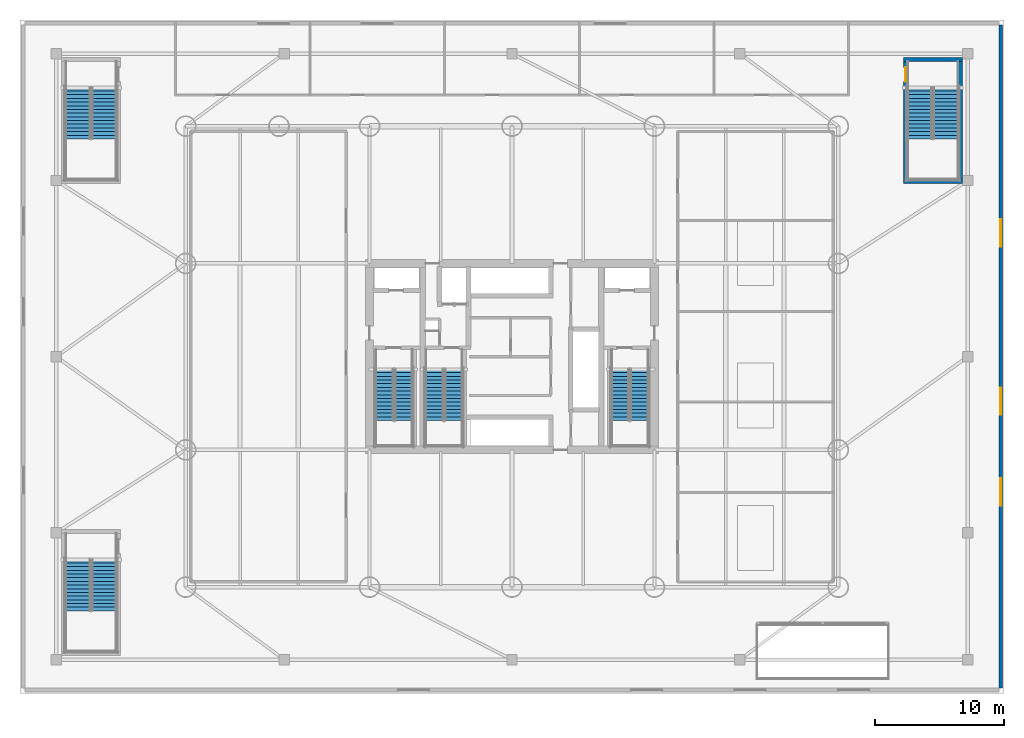
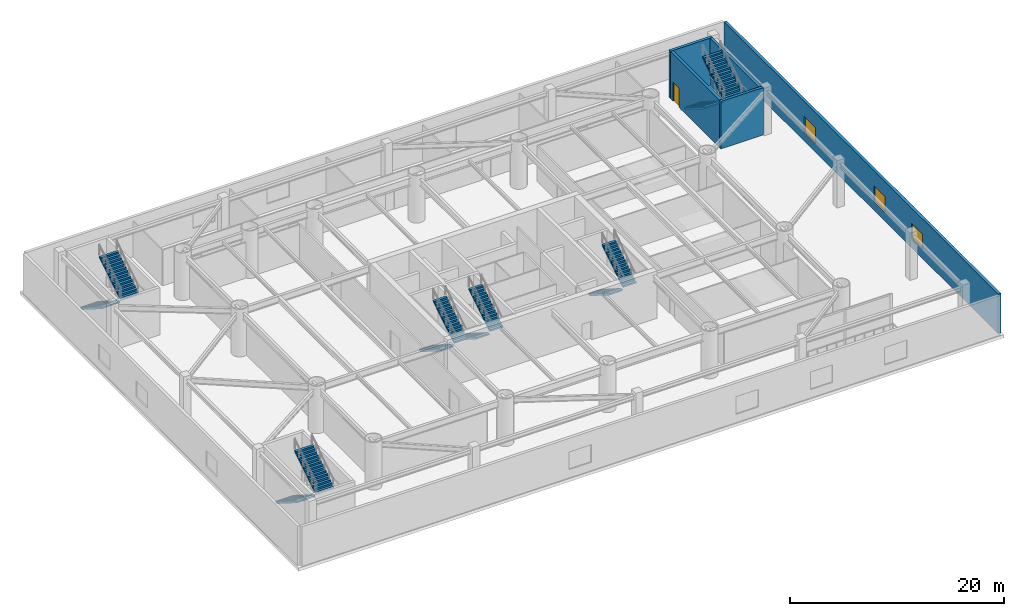
# One storey, part 9 of 16: 12 stair flights, 5 walls, 3 windows, 1 door, 4 openings, 6 elements without a shape of their own.
"""IFC4 building model written with IfcOpenShell, lengths in metres."""

import ifcopenshell
import ifcopenshell.guid

model = None  # the IFC model being written
_history = None  # IfcOwnerHistory: only IFC2X3 demands one
_inside = {}  # id of a spatial element -> (the spatial element, [elements in it])
_under = {}  # id of a project, library or spatial element -> (it, [spatial elements below it])
_declared = {}  # id of a project -> (the project, [libraries it declares])
_typed = {}  # id of a type object -> (the type object, [elements of that type])
_made_of = {}  # id of a material, layer set ... -> (it, [elements and type objects made of it])


def new_model(schema):
    """Start an empty IFC model of exactly this schema.

    Asked for "IFC4X3", IfcOpenShell would pick the latest addendum, in which some entities
    have other attributes; the version numbers below select the first issue.
    IFC2X3 requires an IfcOwnerHistory on every rooted entity: one is made here for all.
    """
    global model, _history
    if schema == "IFC4X3":
        model = ifcopenshell.file(schema_version=(4, 3, 0, 0))
    else:
        model = ifcopenshell.file(schema=schema)
    _inside.clear()
    _under.clear()
    _declared.clear()
    _typed.clear()
    _made_of.clear()
    _history = None
    if model.schema == "IFC2X3":
        org = make("IfcOrganization", Name="unknown")
        user = make(
            "IfcPersonAndOrganization",
            ThePerson=make("IfcPerson", FamilyName="unknown"),
            TheOrganization=org,
        )
        app = make(
            "IfcApplication",
            ApplicationDeveloper=org,
            Version="unknown",
            ApplicationFullName="unknown",
            ApplicationIdentifier="unknown",
        )
        _history = make(
            "IfcOwnerHistory",
            OwningUser=user,
            OwningApplication=app,
            ChangeAction="ADDED",
            CreationDate=0,
        )
    return model


def make(cls, **values):
    """One entity of the class cls with the attributes given. An attribute that is None is left unset."""
    return model.create_entity(
        cls, **{name: value for name, value in values.items() if value is not None}
    )


def rooted(cls, **values):
    """An entity with a GlobalId (a new one), such as an element, a storey or a relation."""
    return make(cls, GlobalId=ifcopenshell.guid.new(), OwnerHistory=_history, **values)


def si_unit(unit_type, name, prefix=None):
    """IfcSIUnit, for example si_unit("LENGTHUNIT", "METRE", prefix="MILLI")."""
    return make("IfcSIUnit", UnitType=unit_type, Prefix=prefix, Name=name)


def assignment(units):
    """IfcUnitAssignment: the units of a project."""
    return None if units is None else make("IfcUnitAssignment", Units=units)


def point(xyz):
    """IfcCartesianPoint."""
    return None if xyz is None else make("IfcCartesianPoint", Coordinates=xyz)


def direction(xyz):
    """IfcDirection."""
    return None if xyz is None else make("IfcDirection", DirectionRatios=xyz)


def frame(location, z_axis=None, x_axis=None):
    """IfcAxis2Placement3D, a coordinate frame: its origin and axes. An axis left out is left unset."""
    return make(
        "IfcAxis2Placement3D",
        Location=point(location),
        Axis=direction(z_axis),
        RefDirection=direction(x_axis),
    )


def frame_2d(location, x_axis=None):
    """IfcAxis2Placement2D, a coordinate frame in the plane: its origin and x axis."""
    return make(
        "IfcAxis2Placement2D", Location=point(location), RefDirection=direction(x_axis)
    )


def origin():
    """The frame at (0, 0, 0) with its axes left unset."""
    return frame((0.0, 0.0, 0.0))


def place(relative_to, where):
    """IfcLocalPlacement: puts the frame where relative to a parent placement (None: the world)."""
    return make(
        "IfcLocalPlacement", PlacementRelTo=relative_to, RelativePlacement=where
    )


def context(
    kind, dimensions, precision=None, world=None, true_north=None, identifier=None
):
    """IfcGeometricRepresentationContext, for example the 3D "Model" context."""
    return make(
        "IfcGeometricRepresentationContext",
        ContextIdentifier=identifier,
        ContextType=kind,
        CoordinateSpaceDimension=dimensions,
        Precision=precision,
        WorldCoordinateSystem=world,
        TrueNorth=true_north,
    )


def subcontext(parent, identifier, kind, view, scale=None):
    """IfcGeometricRepresentationSubContext, for example "Body" below "Model"."""
    return make(
        "IfcGeometricRepresentationSubContext",
        ContextIdentifier=identifier,
        ContextType=kind,
        ParentContext=parent,
        TargetScale=scale,
        TargetView=view,
    )


def project(units=None, contexts=None):
    """IfcProject with its units and contexts."""
    return rooted(
        "IfcProject",
        Name="project",
        RepresentationContexts=contexts,
        UnitsInContext=assignment(units),
    )


def spatial(cls, under=None, at=None, **own):
    """A site, building, storey or space (cls), placed at a placement, below another one or the project."""
    s = rooted(cls, ObjectPlacement=at, **own)
    if under is not None:
        _under.setdefault(under.id(), (under, []))[1].append(s)
    return s


def polyline(points):
    """IfcPolyline through the points."""
    return make("IfcPolyline", Points=[point(p) for p in points])


def profile(cls, at=None, kind="AREA", **sizes):
    """A parametric profile (cls). Its sizes go by their IFC names, for example OverallWidth=200.0."""
    return make(cls, ProfileType=kind, Position=at, **sizes)


def rectangle(**sizes):
    """IfcRectangleProfileDef."""
    return profile("IfcRectangleProfileDef", **sizes)


def outline(outer, holes=None, kind="AREA"):
    """IfcArbitraryClosedProfileDef: a profile drawn as a closed curve; with holes, ...WithVoids."""
    if holes is None:
        return make("IfcArbitraryClosedProfileDef", ProfileType=kind, OuterCurve=outer)
    return make(
        "IfcArbitraryProfileDefWithVoids",
        ProfileType=kind,
        OuterCurve=outer,
        InnerCurves=holes,
    )


def extrude(swept, where, along, depth):
    """IfcExtrudedAreaSolid: the profile swept, set in the frame where, extruded along a direction by depth."""
    return make(
        "IfcExtrudedAreaSolid",
        SweptArea=swept,
        Position=where,
        ExtrudedDirection=direction(along),
        Depth=depth,
    )


def shape(context_of_items, identifier, shape_type, items):
    """IfcShapeRepresentation: the items that make up one representation, for example the "Body"."""
    return make(
        "IfcShapeRepresentation",
        ContextOfItems=context_of_items,
        RepresentationIdentifier=identifier,
        RepresentationType=shape_type,
        Items=items,
    )


def material(Name=None, Category=None):
    """IfcMaterial."""
    return make("IfcMaterial", Name=Name, Category=Category)


def layer(
    of_material, thickness, ventilated=None, Name=None, Category=None, Priority=None
):
    """IfcMaterialLayer: one layer of a wall or slab, of a material (None: an air gap)."""
    return make(
        "IfcMaterialLayer",
        Material=of_material,
        LayerThickness=thickness,
        IsVentilated=ventilated,
        Name=Name,
        Category=Category,
        Priority=Priority,
    )


def layer_set(layers, Name=None):
    """IfcMaterialLayerSet."""
    return make("IfcMaterialLayerSet", MaterialLayers=layers, LayerSetName=Name)


def made_of(thing, what):
    """Note that an element or type object is made of a material, layer set ...; save() writes the relation."""
    if what is not None:
        _made_of.setdefault(what.id(), (what, []))[1].append(thing)
    return thing


def type_object(cls, material=None, **own):
    """A type object (cls), such as IfcWallType, which elements share."""
    return made_of(rooted(cls, **own), material)


def element(
    cls,
    number,
    at=None,
    inside=None,
    cuts=None,
    type_object=None,
    material=None,
    context=None,
    identifier="Body",
    shape_type=None,
    held_by="IfcProductDefinitionShape",
    body=None,
    shapes=None,
    **own,
):
    """One element of the class cls, such as IfcWall. Its Tag is "e" and its number.

    at: its placement. inside: the storey or other place that contains it. cuts: it is an
    opening in that element (IfcRelVoidsElement). A single representation is given by context,
    identifier, shape_type and body (its items); several are given by shapes. held_by: the class
    of the entity that holds the representations. save() writes the other relations.
    """
    e = rooted(cls, Tag="e%d" % number, ObjectPlacement=at, **own)
    if body is not None:
        shapes = [shape(context, identifier, shape_type, body)]
    if shapes is not None:
        e.Representation = make(held_by, Representations=shapes)
    if inside is not None:
        _inside.setdefault(inside.id(), (inside, []))[1].append(e)
    if cuts is not None:
        rooted(
            "IfcRelVoidsElement", RelatingBuildingElement=cuts, RelatedOpeningElement=e
        )
    if type_object is not None:
        _typed.setdefault(type_object.id(), (type_object, []))[1].append(e)
    return made_of(e, material)


def fill(opening, filler):
    """IfcRelFillsElement: the door or window that sits in an opening."""
    return rooted(
        "IfcRelFillsElement",
        RelatingOpeningElement=opening,
        RelatedBuildingElement=filler,
    )


def aggregate(whole, parts):
    """IfcRelAggregates: a whole, such as a stair, and the parts it consists of."""
    return rooted("IfcRelAggregates", RelatingObject=whole, RelatedObjects=parts)


def save(model, path):
    """Write the relations noted so far, then the file.

    IfcRelAggregates (storeys below a building ...), IfcRelContainedInSpatialStructure (elements
    in a storey), IfcRelDefinesByType, IfcRelAssociatesMaterial and IfcRelDeclares: one each for
    every whole, place, type object, material and project.
    """
    for whole, parts in _under.values():
        aggregate(whole, parts)
    for where, things in _inside.values():
        rooted(
            "IfcRelContainedInSpatialStructure",
            RelatedElements=things,
            RelatingStructure=where,
        )
    for kind, things in _typed.values():
        rooted("IfcRelDefinesByType", RelatedObjects=things, RelatingType=kind)
    for what, things in _made_of.values():
        rooted("IfcRelAssociatesMaterial", RelatedObjects=things, RelatingMaterial=what)
    for by, libraries in _declared.values():
        rooted("IfcRelDeclares", RelatingContext=by, RelatedDefinitions=libraries)
    model.write(path)


model = new_model("IFC4")

# Units and contexts
model_context = context("Model", 3, precision=1e-05, world=origin(), true_north=direction((0.0, 1.0)))
body_context = subcontext(model_context, "Body", "Model", "MODEL_VIEW")
ifc_project = project(units=[si_unit("LENGTHUNIT", "METRE"), si_unit("AREAUNIT", "SQUARE_METRE"), si_unit("VOLUMEUNIT", "CUBIC_METRE"), si_unit("PLANEANGLEUNIT", "RADIAN"), si_unit("MASSUNIT", "GRAM", prefix="KILO")], contexts=[model_context])

# Site, building, storey
site_placement = place(None, origin())
site = spatial("IfcSite", under=ifc_project, at=site_placement, CompositionType="ELEMENT")
building_placement = place(site_placement, origin())
building = spatial("IfcBuilding", under=site, at=building_placement, Name="Bramvorn Convention Spire", CompositionType="ELEMENT")
storey_placement = place(building_placement, frame((0.0, 0.0, 30.0)))
storey = spatial("IfcBuildingStorey", under=building, at=storey_placement, Name="L05", CompositionType="ELEMENT", Elevation=30.0)

# Wall, openings, windows
ifc_material_1 = material(Name="Precast Concrete C40/50 with Bronze Terracotta Rainscreen", Category="masonry")
ifc_layer_1 = layer(ifc_material_1, 0.300048828125)
ifc_layer_set_1 = layer_set([ifc_layer_1], Name="Precast Concrete C40/50 with Bronze Terracotta Rainscreen - WL-EXT-BRONZE-300")
wall_type_1 = type_object("IfcWallType", Name="WL-EXT-BRONZE-300", PredefinedType="SOLIDWALL", material=ifc_layer_set_1)
wall_1_placement = place(storey_placement, frame((75.75, 51.60009765625, 0.0), z_axis=(0.0, 0.0, 1.0), x_axis=(0.0, -1.0, 0.0)))
wall_1 = element("IfcWall", 1, at=wall_1_placement, inside=storey, type_object=wall_type_1, Name="L05 East podium bronze facade wall", PredefinedType="SOLIDWALL", context=body_context, shape_type="SweptSolid", body=[
    extrude(rectangle(XDim=51.2001953125, YDim=0.300048828125, at=frame_2d((25.60009765625, 0.0))), origin(), (0.0, 0.0, 1.0), 4.510009765625),
])
opening_1_placement = place(wall_1_placement, frame((15.0, 0.0, 1.0)))
opening_1 = element("IfcOpeningElement", 2, at=opening_1_placement, cuts=wall_1, Name="Opening WN04", PredefinedType="OPENING", context=body_context, shape_type="SweptSolid", body=[
    extrude(rectangle(XDim=2.10009765625, YDim=1.800048828125, at=frame_2d((1.050048828125, 0.89990234375))), frame((0.0, 0.159912109375, 0.0), z_axis=(0.0, -1.0, 0.0), x_axis=(1.0, 0.0, 0.0)), (0.0, 0.0, 1.0), 0.320068359375),
])
opening_2_placement = place(wall_1_placement, frame((28.0, 0.0, 1.0)))
opening_2 = element("IfcOpeningElement", 3, at=opening_2_placement, cuts=wall_1, Name="Opening WN04", PredefinedType="OPENING", context=body_context, shape_type="SweptSolid", body=[
    extrude(rectangle(XDim=2.10009765625, YDim=1.800048828125, at=frame_2d((1.050048828125, 0.89990234375))), frame((0.0, 0.159912109375, 0.0), z_axis=(0.0, -1.0, 0.0), x_axis=(1.0, 0.0, 0.0)), (0.0, 0.0, 1.0), 0.320068359375),
])
opening_3_placement = place(wall_1_placement, frame((35.0, 0.0, 1.0)))
opening_3 = element("IfcOpeningElement", 4, at=opening_3_placement, cuts=wall_1, Name="Opening WN04", PredefinedType="OPENING", context=body_context, shape_type="SweptSolid", body=[
    extrude(rectangle(XDim=2.10009765625, YDim=1.800048828125, at=frame_2d((1.050048828125, 0.89990234375))), frame((0.0, 0.159912109375, 0.0), z_axis=(0.0, -1.0, 0.0), x_axis=(1.0, 0.0, 0.0)), (0.0, 0.0, 1.0), 0.320068359375),
])
ifc_material_2 = material(Name="Thermally Broken Bronze Aluminium & Triple Low-E Glass", Category="aluminium")
window_type = type_object("IfcWindowType", Name="WN-OP-2100X1800", PartitioningType="SINGLE_PANEL", PredefinedType="WINDOW", material=ifc_material_2)
window_1_placement = place(opening_1_placement, origin())
window_1 = element("IfcWindow", 5, at=window_1_placement, inside=storey, type_object=window_type, Name="L05 East operable window 1", OverallHeight=1.800048828125, OverallWidth=2.10009765625, PartitioningType="SINGLE_PANEL", PredefinedType="WINDOW", context=body_context, shape_type="SweptSolid", body=[
    extrude(rectangle(XDim=2.10009765625, YDim=1.800048828125, at=frame_2d((1.050048828125, 0.89990234375))), frame((0.0, 0.030029296875, 0.0), z_axis=(0.0, -1.0, 0.0), x_axis=(1.0, 0.0, 0.0)), (0.0, 0.0, 1.0), 0.06005859375),
])
fill(opening_1, window_1)
window_2_placement = place(opening_2_placement, origin())
window_2 = element("IfcWindow", 6, at=window_2_placement, inside=storey, type_object=window_type, Name="L05 East operable window 2", OverallHeight=1.800048828125, OverallWidth=2.10009765625, PartitioningType="SINGLE_PANEL", PredefinedType="WINDOW", context=body_context, shape_type="SweptSolid", body=[
    extrude(rectangle(XDim=2.10009765625, YDim=1.800048828125, at=frame_2d((1.050048828125, 0.89990234375))), frame((0.0, 0.030029296875, 0.0), z_axis=(0.0, -1.0, 0.0), x_axis=(1.0, 0.0, 0.0)), (0.0, 0.0, 1.0), 0.06005859375),
])
fill(opening_2, window_2)
window_3_placement = place(opening_3_placement, origin())
window_3 = element("IfcWindow", 7, at=window_3_placement, inside=storey, type_object=window_type, Name="L05 East operable window 3", OverallHeight=1.800048828125, OverallWidth=2.10009765625, PartitioningType="SINGLE_PANEL", PredefinedType="WINDOW", context=body_context, shape_type="SweptSolid", body=[
    extrude(rectangle(XDim=2.10009765625, YDim=1.800048828125, at=frame_2d((1.050048828125, 0.89990234375))), frame((0.0, 0.030029296875, 0.0), z_axis=(0.0, -1.0, 0.0), x_axis=(1.0, 0.0, 0.0)), (0.0, 0.0, 1.0), 0.06005859375),
])
fill(opening_3, window_3)

# Walls
ifc_material_3 = material(Name="Concrete C50/60", Category="concrete")
ifc_layer_2 = layer(ifc_material_3, 0.300048828125)
ifc_layer_set_2 = layer_set([ifc_layer_2], Name="Concrete C50/60 - WL-POD-STAIR-300")
wall_type_2 = type_object("IfcWallType", Name="WL-POD-STAIR-300", PredefinedType="SHEAR", material=ifc_layer_set_2)
for number, where, z_axis, x_axis, name in (
    (8, (68.22998046875, 39.510009765625, 0.0), (0.0, 0.0, 1.0), (1.0, 0.0, 0.0), "L05 ST5 south shaft wall"),
    (9, (68.22998046875, 48.93994140625, 0.0), (0.0, 0.0, 1.0), (1.0, 0.0, 0.0), "L05 ST5 north shaft wall"),
):
    element("IfcWall", number, at=place(storey_placement, frame(where, z_axis=z_axis, x_axis=x_axis)), inside=storey, type_object=wall_type_2, Name=name, PredefinedType="SHEAR", context=body_context, shape_type="SweptSolid", body=[
        extrude(rectangle(XDim=4.56005859375, YDim=0.300048828125, at=frame_2d((2.280029296875, 0.0))), origin(), (0.0, 0.0, 1.0), 5.39990234375),
    ])

# Wall, opening, door
wall_2_placement = place(storey_placement, frame((68.3798828125, 39.659912109375, 0.0), z_axis=(0.0, 0.0, 1.0), x_axis=(0.0, 1.0, 0.0)))
wall_2 = element("IfcWall", 10, at=wall_2_placement, inside=storey, type_object=wall_type_2, Name="L05 ST5 west shaft wall", PredefinedType="SHEAR", context=body_context, shape_type="SweptSolid", body=[
    extrude(rectangle(XDim=9.130126953125, YDim=0.300048828125, at=frame_2d((4.56494140625, 0.0))), origin(), (0.0, 0.0, 1.0), 5.39990234375),
])
opening_4_placement = place(wall_2_placement, frame((7.580078125, 0.0, 0.0)))
opening_4 = element("IfcOpeningElement", 11, at=opening_4_placement, cuts=wall_2, Name="Opening DS-110", PredefinedType="OPENING", context=body_context, shape_type="SweptSolid", body=[
    extrude(rectangle(XDim=1.10009765625, YDim=2.14990234375, at=frame_2d((0.550048828125, 1.074951171875))), frame((0.0, 0.159912109375, 0.0), z_axis=(0.0, -1.0, 0.0), x_axis=(1.0, 0.0, 0.0)), (0.0, 0.0, 1.0), 0.320068359375),
])
ifc_material_4 = material(Name="Fire-Rated Hollow Steel Stairwell Door", Category="steel")
door_type = type_object("IfcDoorType", Name="DR-STAIR-1100", OperationType="NOTDEFINED", PredefinedType="DOOR", material=ifc_material_4)
door_placement = place(opening_4_placement, origin())
door = element("IfcDoor", 12, at=door_placement, inside=storey, type_object=door_type, Name="L05 ST5 exit stairwell door", OperationType="SINGLE_SWING_LEFT", OverallHeight=2.14990234375, OverallWidth=1.10009765625, PredefinedType="DOOR", context=body_context, shape_type="SweptSolid", body=[
    extrude(rectangle(XDim=1.10009765625, YDim=2.14990234375, at=frame_2d((0.550048828125, 1.074951171875))), frame((0.0, 0.02490234375, 0.0), z_axis=(0.0, -1.0, 0.0), x_axis=(1.0, 0.0, 0.0)), (0.0, 0.0, 1.0), 0.050048828125),
])
fill(opening_4, door)

# Wall
wall_3_placement = place(storey_placement, frame((72.639892578125, 48.7900390625, 0.0), z_axis=(0.0, 0.0, 1.0), x_axis=(0.0, -1.0, 0.0)))
element("IfcWall", 13, at=wall_3_placement, inside=storey, type_object=wall_type_2, Name="L05 ST5 east shaft wall", PredefinedType="SHEAR", context=body_context, shape_type="SweptSolid", body=[
    extrude(rectangle(XDim=9.130126953125, YDim=0.300048828125, at=frame_2d((4.56494140625, 0.0))), origin(), (0.0, 0.0, 1.0), 5.39990234375),
])

# Stair, stair flights
ifc_material_5 = material(Name="Concrete C40/50 Grand Exit Stair", Category="concrete")
stair_type_1 = type_object("IfcStairType", Name="ST-PODIUM-1950", PredefinedType="HALF_TURN_STAIR", material=ifc_material_5)
stair_1_placement = place(storey_placement, origin())
stair_1 = element("IfcStair", 14, at=stair_1_placement, inside=storey, type_object=stair_type_1, Name="L05 Protected Exit Stair ST4", PredefinedType="HALF_TURN_STAIR")
ifc_material_6 = material(Name="Concrete C40/50 Precast Stair Flight", Category="concrete")
stair_flight_type_1 = type_object("IfcStairFlightType", Name="STF-PODIUM-1950", PredefinedType="STRAIGHT", material=ifc_material_6)
stair_flight_1_placement = place(storey_placement, frame((4.47509765625, 10.35009765625, 0.0), z_axis=(0.0, 0.0, 1.0), x_axis=(0.0, -1.0, 0.0)))
stair_flight_1 = element("IfcStairFlight", 15, at=stair_flight_1_placement, type_object=stair_flight_type_1, Name="ST4 flight 1", NumberOfRisers=15, NumberOfTreads=14, PredefinedType="STRAIGHT", RiserHeight=0.18, TreadLength=0.285, context=body_context, shape_type="SweptSolid", body=[
    extrude(outline(polyline([(0.0, 0.0), (0.0, 0.179931640625), (0.284912109375, 0.179931640625), (0.284912109375, 0.360107421875), (0.570068359375, 0.360107421875), (0.570068359375, 0.5400390625), (0.85498046875, 0.5400390625), (0.85498046875, 0.719970703125), (1.139892578125, 0.719970703125), (1.139892578125, 0.89990234375), (1.425048828125, 0.89990234375), (1.425048828125, 1.080078125), (1.7099609375, 1.080078125), (1.7099609375, 1.260009765625), (1.9951171875, 1.260009765625), (1.9951171875, 1.43994140625), (2.280029296875, 1.43994140625), (2.280029296875, 1.6201171875), (2.56494140625, 1.6201171875), (2.56494140625, 1.800048828125), (2.85009765625, 1.800048828125), (2.85009765625, 1.97998046875), (3.135009765625, 1.97998046875), (3.135009765625, 2.159912109375), (3.419921875, 2.159912109375), (3.419921875, 2.340087890625), (3.705078125, 2.340087890625), (3.705078125, 2.52001953125), (3.989990234375, 2.52001953125), (3.989990234375, 2.699951171875), (3.989990234375, 2.3427734375), (0.28076171875, 0.0), (0.0, 0.0)])), frame((0.0, 0.97509765625, 0.0), z_axis=(0.0, -1.0, 0.0), x_axis=(1.0, 0.0, 0.0)), (0.0, 0.0, 1.0), 1.949951171875),
])
stair_flight_2_placement = place(storey_placement, frame((6.5048828125, 6.360107421875, 2.699951171875), z_axis=(0.0, 0.0, 1.0), x_axis=(0.0, 1.0, 0.0)))
stair_flight_2 = element("IfcStairFlight", 16, at=stair_flight_2_placement, type_object=stair_flight_type_1, Name="ST4 flight 2", NumberOfRisers=15, NumberOfTreads=14, PredefinedType="STRAIGHT", RiserHeight=0.18, TreadLength=0.285, context=body_context, shape_type="SweptSolid", body=[
    extrude(outline(polyline([(0.0, 0.0), (0.0, 0.179931640625), (0.284912109375, 0.179931640625), (0.284912109375, 0.360107421875), (0.570068359375, 0.360107421875), (0.570068359375, 0.5400390625), (0.85498046875, 0.5400390625), (0.85498046875, 0.719970703125), (1.139892578125, 0.719970703125), (1.139892578125, 0.89990234375), (1.425048828125, 0.89990234375), (1.425048828125, 1.080078125), (1.7099609375, 1.080078125), (1.7099609375, 1.260009765625), (1.9951171875, 1.260009765625), (1.9951171875, 1.43994140625), (2.280029296875, 1.43994140625), (2.280029296875, 1.6201171875), (2.56494140625, 1.6201171875), (2.56494140625, 1.800048828125), (2.85009765625, 1.800048828125), (2.85009765625, 1.97998046875), (3.135009765625, 1.97998046875), (3.135009765625, 2.159912109375), (3.419921875, 2.159912109375), (3.419921875, 2.340087890625), (3.705078125, 2.340087890625), (3.705078125, 2.52001953125), (3.989990234375, 2.52001953125), (3.989990234375, 2.699951171875), (3.989990234375, 2.3427734375), (0.28076171875, 0.0), (0.0, 0.0)])), frame((0.0, 0.97509765625, 0.0), z_axis=(0.0, -1.0, 0.0), x_axis=(1.0, 0.0, 0.0)), (0.0, 0.0, 1.0), 1.949951171875),
])
aggregate(stair_1, [stair_flight_1, stair_flight_2])

stair_2_placement = place(storey_placement, origin())
stair_2 = element("IfcStair", 17, at=stair_2_placement, inside=storey, type_object=stair_type_1, Name="L05 Protected Exit Stair ST5", PredefinedType="HALF_TURN_STAIR")
stair_flight_3_placement = place(storey_placement, frame((69.4951171875, 46.800048828125, 0.0), z_axis=(0.0, 0.0, 1.0), x_axis=(0.0, -1.0, 0.0)))
stair_flight_3 = element("IfcStairFlight", 18, at=stair_flight_3_placement, type_object=stair_flight_type_1, Name="ST5 flight 1", NumberOfRisers=15, NumberOfTreads=14, PredefinedType="STRAIGHT", RiserHeight=0.18, TreadLength=0.285, context=body_context, shape_type="SweptSolid", body=[
    extrude(outline(polyline([(0.0, 0.0), (0.0, 0.179931640625), (0.284912109375, 0.179931640625), (0.284912109375, 0.360107421875), (0.570068359375, 0.360107421875), (0.570068359375, 0.5400390625), (0.85498046875, 0.5400390625), (0.85498046875, 0.719970703125), (1.139892578125, 0.719970703125), (1.139892578125, 0.89990234375), (1.425048828125, 0.89990234375), (1.425048828125, 1.080078125), (1.7099609375, 1.080078125), (1.7099609375, 1.260009765625), (1.9951171875, 1.260009765625), (1.9951171875, 1.43994140625), (2.280029296875, 1.43994140625), (2.280029296875, 1.6201171875), (2.56494140625, 1.6201171875), (2.56494140625, 1.800048828125), (2.85009765625, 1.800048828125), (2.85009765625, 1.97998046875), (3.135009765625, 1.97998046875), (3.135009765625, 2.159912109375), (3.419921875, 2.159912109375), (3.419921875, 2.340087890625), (3.705078125, 2.340087890625), (3.705078125, 2.52001953125), (3.989990234375, 2.52001953125), (3.989990234375, 2.699951171875), (3.989990234375, 2.3427734375), (0.28076171875, 0.0), (0.0, 0.0)])), frame((0.0, 0.97509765625, 0.0), z_axis=(0.0, -1.0, 0.0), x_axis=(1.0, 0.0, 0.0)), (0.0, 0.0, 1.0), 1.949951171875),
])
stair_flight_4_placement = place(storey_placement, frame((71.52490234375, 42.81005859375, 2.699951171875), z_axis=(0.0, 0.0, 1.0), x_axis=(0.0, 1.0, 0.0)))
stair_flight_4 = element("IfcStairFlight", 19, at=stair_flight_4_placement, type_object=stair_flight_type_1, Name="ST5 flight 2", NumberOfRisers=15, NumberOfTreads=14, PredefinedType="STRAIGHT", RiserHeight=0.18, TreadLength=0.285, context=body_context, shape_type="SweptSolid", body=[
    extrude(outline(polyline([(0.0, 0.0), (0.0, 0.179931640625), (0.284912109375, 0.179931640625), (0.284912109375, 0.360107421875), (0.570068359375, 0.360107421875), (0.570068359375, 0.5400390625), (0.85498046875, 0.5400390625), (0.85498046875, 0.719970703125), (1.139892578125, 0.719970703125), (1.139892578125, 0.89990234375), (1.425048828125, 0.89990234375), (1.425048828125, 1.080078125), (1.7099609375, 1.080078125), (1.7099609375, 1.260009765625), (1.9951171875, 1.260009765625), (1.9951171875, 1.43994140625), (2.280029296875, 1.43994140625), (2.280029296875, 1.6201171875), (2.56494140625, 1.6201171875), (2.56494140625, 1.800048828125), (2.85009765625, 1.800048828125), (2.85009765625, 1.97998046875), (3.135009765625, 1.97998046875), (3.135009765625, 2.159912109375), (3.419921875, 2.159912109375), (3.419921875, 2.340087890625), (3.705078125, 2.340087890625), (3.705078125, 2.52001953125), (3.989990234375, 2.52001953125), (3.989990234375, 2.699951171875), (3.989990234375, 2.3427734375), (0.28076171875, 0.0), (0.0, 0.0)])), frame((0.0, 0.97509765625, 0.0), z_axis=(0.0, -1.0, 0.0), x_axis=(1.0, 0.0, 0.0)), (0.0, 0.0, 1.0), 1.949951171875),
])
aggregate(stair_2, [stair_flight_3, stair_flight_4])

stair_3_placement = place(storey_placement, origin())
stair_3 = element("IfcStair", 20, at=stair_3_placement, inside=storey, type_object=stair_type_1, Name="L05 Protected Exit Stair ST6", PredefinedType="HALF_TURN_STAIR")
stair_flight_5_placement = place(storey_placement, frame((4.47509765625, 46.800048828125, 0.0), z_axis=(0.0, 0.0, 1.0), x_axis=(0.0, -1.0, 0.0)))
stair_flight_5 = element("IfcStairFlight", 21, at=stair_flight_5_placement, type_object=stair_flight_type_1, Name="ST6 flight 1", NumberOfRisers=15, NumberOfTreads=14, PredefinedType="STRAIGHT", RiserHeight=0.18, TreadLength=0.285, context=body_context, shape_type="SweptSolid", body=[
    extrude(outline(polyline([(0.0, 0.0), (0.0, 0.179931640625), (0.284912109375, 0.179931640625), (0.284912109375, 0.360107421875), (0.570068359375, 0.360107421875), (0.570068359375, 0.5400390625), (0.85498046875, 0.5400390625), (0.85498046875, 0.719970703125), (1.139892578125, 0.719970703125), (1.139892578125, 0.89990234375), (1.425048828125, 0.89990234375), (1.425048828125, 1.080078125), (1.7099609375, 1.080078125), (1.7099609375, 1.260009765625), (1.9951171875, 1.260009765625), (1.9951171875, 1.43994140625), (2.280029296875, 1.43994140625), (2.280029296875, 1.6201171875), (2.56494140625, 1.6201171875), (2.56494140625, 1.800048828125), (2.85009765625, 1.800048828125), (2.85009765625, 1.97998046875), (3.135009765625, 1.97998046875), (3.135009765625, 2.159912109375), (3.419921875, 2.159912109375), (3.419921875, 2.340087890625), (3.705078125, 2.340087890625), (3.705078125, 2.52001953125), (3.989990234375, 2.52001953125), (3.989990234375, 2.699951171875), (3.989990234375, 2.3427734375), (0.28076171875, 0.0), (0.0, 0.0)])), frame((0.0, 0.97509765625, 0.0), z_axis=(0.0, -1.0, 0.0), x_axis=(1.0, 0.0, 0.0)), (0.0, 0.0, 1.0), 1.949951171875),
])
stair_flight_6_placement = place(storey_placement, frame((6.5048828125, 42.81005859375, 2.699951171875), z_axis=(0.0, 0.0, 1.0), x_axis=(0.0, 1.0, 0.0)))
stair_flight_6 = element("IfcStairFlight", 22, at=stair_flight_6_placement, type_object=stair_flight_type_1, Name="ST6 flight 2", NumberOfRisers=15, NumberOfTreads=14, PredefinedType="STRAIGHT", RiserHeight=0.18, TreadLength=0.285, context=body_context, shape_type="SweptSolid", body=[
    extrude(outline(polyline([(0.0, 0.0), (0.0, 0.179931640625), (0.284912109375, 0.179931640625), (0.284912109375, 0.360107421875), (0.570068359375, 0.360107421875), (0.570068359375, 0.5400390625), (0.85498046875, 0.5400390625), (0.85498046875, 0.719970703125), (1.139892578125, 0.719970703125), (1.139892578125, 0.89990234375), (1.425048828125, 0.89990234375), (1.425048828125, 1.080078125), (1.7099609375, 1.080078125), (1.7099609375, 1.260009765625), (1.9951171875, 1.260009765625), (1.9951171875, 1.43994140625), (2.280029296875, 1.43994140625), (2.280029296875, 1.6201171875), (2.56494140625, 1.6201171875), (2.56494140625, 1.800048828125), (2.85009765625, 1.800048828125), (2.85009765625, 1.97998046875), (3.135009765625, 1.97998046875), (3.135009765625, 2.159912109375), (3.419921875, 2.159912109375), (3.419921875, 2.340087890625), (3.705078125, 2.340087890625), (3.705078125, 2.52001953125), (3.989990234375, 2.52001953125), (3.989990234375, 2.699951171875), (3.989990234375, 2.3427734375), (0.28076171875, 0.0), (0.0, 0.0)])), frame((0.0, 0.97509765625, 0.0), z_axis=(0.0, -1.0, 0.0), x_axis=(1.0, 0.0, 0.0)), (0.0, 0.0, 1.0), 1.949951171875),
])
aggregate(stair_3, [stair_flight_5, stair_flight_6])

ifc_material_7 = material(Name="Concrete C40/50 Precast Stair", Category="concrete")
stair_type_2 = type_object("IfcStairType", Name="ST-TOWER-1550", PredefinedType="HALF_TURN_STAIR", material=ifc_material_7)
stair_4_placement = place(storey_placement, origin())
stair_4 = element("IfcStair", 23, at=stair_4_placement, inside=storey, type_object=stair_type_2, Name="L05 Protected Exit Stair ST1", PredefinedType="HALF_TURN_STAIR")
stair_flight_type_2 = type_object("IfcStairFlightType", Name="STF-TOWER-1550", PredefinedType="STRAIGHT", material=ifc_material_6)
stair_flight_7_placement = place(storey_placement, frame((28.155029296875, 25.050048828125, 0.0), z_axis=(0.0, 0.0, 1.0), x_axis=(0.0, -1.0, 0.0)))
stair_flight_7 = element("IfcStairFlight", 24, at=stair_flight_7_placement, type_object=stair_flight_type_2, Name="ST1 flight 1", NumberOfRisers=15, NumberOfTreads=14, PredefinedType="STRAIGHT", RiserHeight=0.18, TreadLength=0.285, context=body_context, shape_type="SweptSolid", body=[
    extrude(outline(polyline([(0.0, 0.0), (0.0, 0.179931640625), (0.284912109375, 0.179931640625), (0.284912109375, 0.360107421875), (0.570068359375, 0.360107421875), (0.570068359375, 0.5400390625), (0.85498046875, 0.5400390625), (0.85498046875, 0.719970703125), (1.139892578125, 0.719970703125), (1.139892578125, 0.89990234375), (1.425048828125, 0.89990234375), (1.425048828125, 1.080078125), (1.7099609375, 1.080078125), (1.7099609375, 1.260009765625), (1.9951171875, 1.260009765625), (1.9951171875, 1.43994140625), (2.280029296875, 1.43994140625), (2.280029296875, 1.6201171875), (2.56494140625, 1.6201171875), (2.56494140625, 1.800048828125), (2.85009765625, 1.800048828125), (2.85009765625, 1.97998046875), (3.135009765625, 1.97998046875), (3.135009765625, 2.159912109375), (3.419921875, 2.159912109375), (3.419921875, 2.340087890625), (3.705078125, 2.340087890625), (3.705078125, 2.52001953125), (3.989990234375, 2.52001953125), (3.989990234375, 2.699951171875), (3.989990234375, 2.3427734375), (0.28076171875, 0.0), (0.0, 0.0)])), frame((0.0, 0.705078125, 0.0), z_axis=(0.0, -1.0, 0.0), x_axis=(1.0, 0.0, 0.0)), (0.0, 0.0, 1.0), 1.409912109375),
])
stair_flight_8_placement = place(storey_placement, frame((29.64501953125, 21.06005859375, 2.699951171875), z_axis=(0.0, 0.0, 1.0), x_axis=(0.0, 1.0, 0.0)))
stair_flight_8 = element("IfcStairFlight", 25, at=stair_flight_8_placement, type_object=stair_flight_type_2, Name="ST1 flight 2", NumberOfRisers=15, NumberOfTreads=14, PredefinedType="STRAIGHT", RiserHeight=0.18, TreadLength=0.285, context=body_context, shape_type="SweptSolid", body=[
    extrude(outline(polyline([(0.0, 0.0), (0.0, 0.179931640625), (0.284912109375, 0.179931640625), (0.284912109375, 0.360107421875), (0.570068359375, 0.360107421875), (0.570068359375, 0.5400390625), (0.85498046875, 0.5400390625), (0.85498046875, 0.719970703125), (1.139892578125, 0.719970703125), (1.139892578125, 0.89990234375), (1.425048828125, 0.89990234375), (1.425048828125, 1.080078125), (1.7099609375, 1.080078125), (1.7099609375, 1.260009765625), (1.9951171875, 1.260009765625), (1.9951171875, 1.43994140625), (2.280029296875, 1.43994140625), (2.280029296875, 1.6201171875), (2.56494140625, 1.6201171875), (2.56494140625, 1.800048828125), (2.85009765625, 1.800048828125), (2.85009765625, 1.97998046875), (3.135009765625, 1.97998046875), (3.135009765625, 2.159912109375), (3.419921875, 2.159912109375), (3.419921875, 2.340087890625), (3.705078125, 2.340087890625), (3.705078125, 2.52001953125), (3.989990234375, 2.52001953125), (3.989990234375, 2.699951171875), (3.989990234375, 2.3427734375), (0.28076171875, 0.0), (0.0, 0.0)])), frame((0.0, 0.705078125, 0.0), z_axis=(0.0, -1.0, 0.0), x_axis=(1.0, 0.0, 0.0)), (0.0, 0.0, 1.0), 1.409912109375),
])
aggregate(stair_4, [stair_flight_7, stair_flight_8])

stair_5_placement = place(storey_placement, origin())
stair_5 = element("IfcStair", 26, at=stair_5_placement, inside=storey, type_object=stair_type_2, Name="L05 Protected Exit Stair ST2", PredefinedType="HALF_TURN_STAIR")
stair_flight_9_placement = place(storey_placement, frame((46.35498046875, 25.050048828125, 0.0), z_axis=(0.0, 0.0, 1.0), x_axis=(0.0, -1.0, 0.0)))
stair_flight_9 = element("IfcStairFlight", 27, at=stair_flight_9_placement, type_object=stair_flight_type_2, Name="ST2 flight 1", NumberOfRisers=15, NumberOfTreads=14, PredefinedType="STRAIGHT", RiserHeight=0.18, TreadLength=0.285, context=body_context, shape_type="SweptSolid", body=[
    extrude(outline(polyline([(0.0, 0.0), (0.0, 0.179931640625), (0.284912109375, 0.179931640625), (0.284912109375, 0.360107421875), (0.570068359375, 0.360107421875), (0.570068359375, 0.5400390625), (0.85498046875, 0.5400390625), (0.85498046875, 0.719970703125), (1.139892578125, 0.719970703125), (1.139892578125, 0.89990234375), (1.425048828125, 0.89990234375), (1.425048828125, 1.080078125), (1.7099609375, 1.080078125), (1.7099609375, 1.260009765625), (1.9951171875, 1.260009765625), (1.9951171875, 1.43994140625), (2.280029296875, 1.43994140625), (2.280029296875, 1.6201171875), (2.56494140625, 1.6201171875), (2.56494140625, 1.800048828125), (2.85009765625, 1.800048828125), (2.85009765625, 1.97998046875), (3.135009765625, 1.97998046875), (3.135009765625, 2.159912109375), (3.419921875, 2.159912109375), (3.419921875, 2.340087890625), (3.705078125, 2.340087890625), (3.705078125, 2.52001953125), (3.989990234375, 2.52001953125), (3.989990234375, 2.699951171875), (3.989990234375, 2.3427734375), (0.28076171875, 0.0), (0.0, 0.0)])), frame((0.0, 0.705078125, 0.0), z_axis=(0.0, -1.0, 0.0), x_axis=(1.0, 0.0, 0.0)), (0.0, 0.0, 1.0), 1.409912109375),
])
stair_flight_10_placement = place(storey_placement, frame((47.844970703125, 21.06005859375, 2.699951171875), z_axis=(0.0, 0.0, 1.0), x_axis=(0.0, 1.0, 0.0)))
stair_flight_10 = element("IfcStairFlight", 28, at=stair_flight_10_placement, type_object=stair_flight_type_2, Name="ST2 flight 2", NumberOfRisers=15, NumberOfTreads=14, PredefinedType="STRAIGHT", RiserHeight=0.18, TreadLength=0.285, context=body_context, shape_type="SweptSolid", body=[
    extrude(outline(polyline([(0.0, 0.0), (0.0, 0.179931640625), (0.284912109375, 0.179931640625), (0.284912109375, 0.360107421875), (0.570068359375, 0.360107421875), (0.570068359375, 0.5400390625), (0.85498046875, 0.5400390625), (0.85498046875, 0.719970703125), (1.139892578125, 0.719970703125), (1.139892578125, 0.89990234375), (1.425048828125, 0.89990234375), (1.425048828125, 1.080078125), (1.7099609375, 1.080078125), (1.7099609375, 1.260009765625), (1.9951171875, 1.260009765625), (1.9951171875, 1.43994140625), (2.280029296875, 1.43994140625), (2.280029296875, 1.6201171875), (2.56494140625, 1.6201171875), (2.56494140625, 1.800048828125), (2.85009765625, 1.800048828125), (2.85009765625, 1.97998046875), (3.135009765625, 1.97998046875), (3.135009765625, 2.159912109375), (3.419921875, 2.159912109375), (3.419921875, 2.340087890625), (3.705078125, 2.340087890625), (3.705078125, 2.52001953125), (3.989990234375, 2.52001953125), (3.989990234375, 2.699951171875), (3.989990234375, 2.3427734375), (0.28076171875, 0.0), (0.0, 0.0)])), frame((0.0, 0.705078125, 0.0), z_axis=(0.0, -1.0, 0.0), x_axis=(1.0, 0.0, 0.0)), (0.0, 0.0, 1.0), 1.409912109375),
])
aggregate(stair_5, [stair_flight_9, stair_flight_10])

stair_6_placement = place(storey_placement, origin())
stair_6 = element("IfcStair", 29, at=stair_6_placement, inside=storey, type_object=stair_type_2, Name="L05 Protected Exit Stair ST3", PredefinedType="HALF_TURN_STAIR")
stair_flight_11_placement = place(storey_placement, frame((32.0048828125, 25.050048828125, 0.0), z_axis=(0.0, 0.0, 1.0), x_axis=(0.0, -1.0, 0.0)))
stair_flight_11 = element("IfcStairFlight", 30, at=stair_flight_11_placement, type_object=stair_flight_type_2, Name="ST3 flight 1", NumberOfRisers=15, NumberOfTreads=14, PredefinedType="STRAIGHT", RiserHeight=0.18, TreadLength=0.285, context=body_context, shape_type="SweptSolid", body=[
    extrude(outline(polyline([(0.0, 0.0), (0.0, 0.179931640625), (0.284912109375, 0.179931640625), (0.284912109375, 0.360107421875), (0.570068359375, 0.360107421875), (0.570068359375, 0.5400390625), (0.85498046875, 0.5400390625), (0.85498046875, 0.719970703125), (1.139892578125, 0.719970703125), (1.139892578125, 0.89990234375), (1.425048828125, 0.89990234375), (1.425048828125, 1.080078125), (1.7099609375, 1.080078125), (1.7099609375, 1.260009765625), (1.9951171875, 1.260009765625), (1.9951171875, 1.43994140625), (2.280029296875, 1.43994140625), (2.280029296875, 1.6201171875), (2.56494140625, 1.6201171875), (2.56494140625, 1.800048828125), (2.85009765625, 1.800048828125), (2.85009765625, 1.97998046875), (3.135009765625, 1.97998046875), (3.135009765625, 2.159912109375), (3.419921875, 2.159912109375), (3.419921875, 2.340087890625), (3.705078125, 2.340087890625), (3.705078125, 2.52001953125), (3.989990234375, 2.52001953125), (3.989990234375, 2.699951171875), (3.989990234375, 2.3427734375), (0.28076171875, 0.0), (0.0, 0.0)])), frame((0.0, 0.705078125, 0.0), z_axis=(0.0, -1.0, 0.0), x_axis=(1.0, 0.0, 0.0)), (0.0, 0.0, 1.0), 1.409912109375),
])
stair_flight_12_placement = place(storey_placement, frame((33.4951171875, 21.06005859375, 2.699951171875), z_axis=(0.0, 0.0, 1.0), x_axis=(0.0, 1.0, 0.0)))
stair_flight_12 = element("IfcStairFlight", 31, at=stair_flight_12_placement, type_object=stair_flight_type_2, Name="ST3 flight 2", NumberOfRisers=15, NumberOfTreads=14, PredefinedType="STRAIGHT", RiserHeight=0.18, TreadLength=0.285, context=body_context, shape_type="SweptSolid", body=[
    extrude(outline(polyline([(0.0, 0.0), (0.0, 0.179931640625), (0.284912109375, 0.179931640625), (0.284912109375, 0.360107421875), (0.570068359375, 0.360107421875), (0.570068359375, 0.5400390625), (0.85498046875, 0.5400390625), (0.85498046875, 0.719970703125), (1.139892578125, 0.719970703125), (1.139892578125, 0.89990234375), (1.425048828125, 0.89990234375), (1.425048828125, 1.080078125), (1.7099609375, 1.080078125), (1.7099609375, 1.260009765625), (1.9951171875, 1.260009765625), (1.9951171875, 1.43994140625), (2.280029296875, 1.43994140625), (2.280029296875, 1.6201171875), (2.56494140625, 1.6201171875), (2.56494140625, 1.800048828125), (2.85009765625, 1.800048828125), (2.85009765625, 1.97998046875), (3.135009765625, 1.97998046875), (3.135009765625, 2.159912109375), (3.419921875, 2.159912109375), (3.419921875, 2.340087890625), (3.705078125, 2.340087890625), (3.705078125, 2.52001953125), (3.989990234375, 2.52001953125), (3.989990234375, 2.699951171875), (3.989990234375, 2.3427734375), (0.28076171875, 0.0), (0.0, 0.0)])), frame((0.0, 0.705078125, 0.0), z_axis=(0.0, -1.0, 0.0), x_axis=(1.0, 0.0, 0.0)), (0.0, 0.0, 1.0), 1.409912109375),
])
aggregate(stair_6, [stair_flight_11, stair_flight_12])

save(model, "model.ifc")
